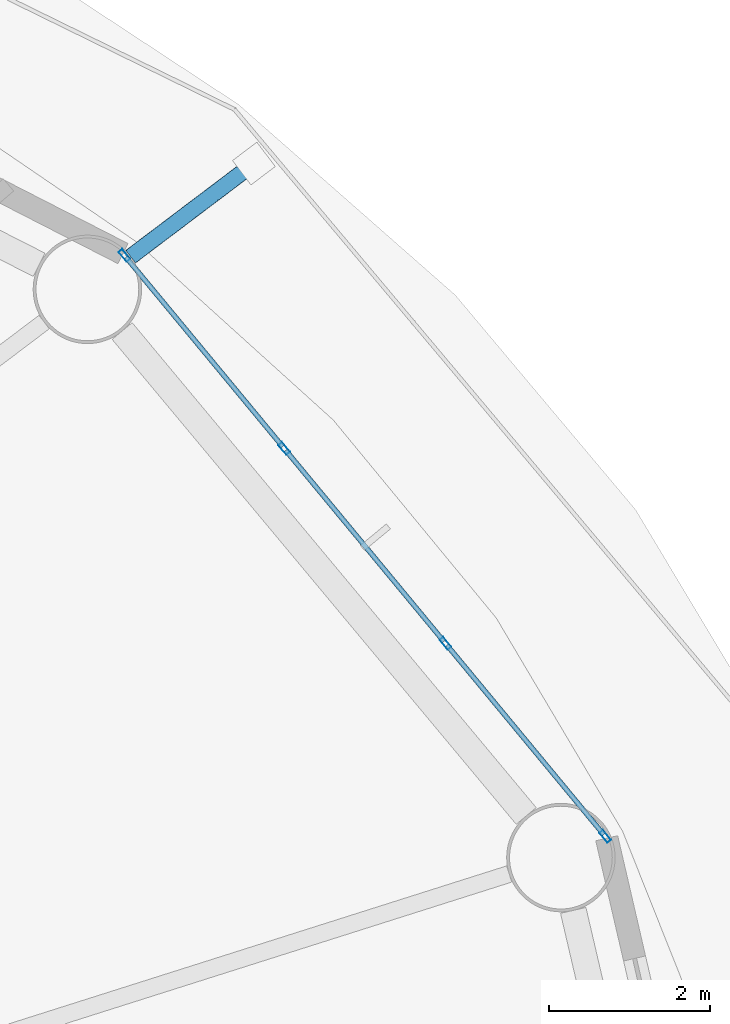
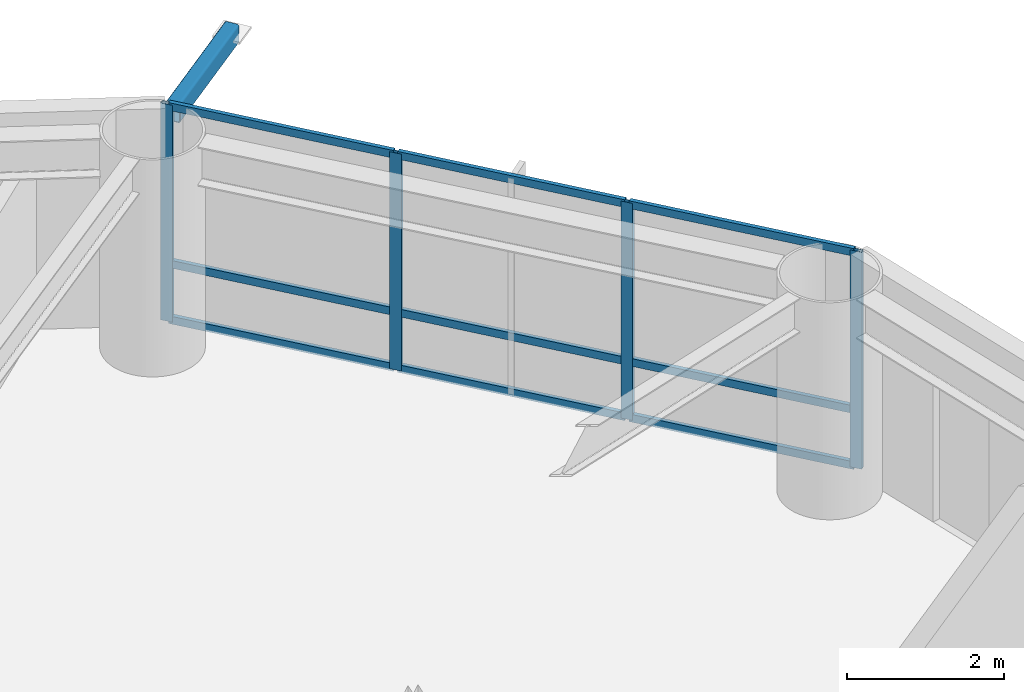
# One storey, part 12 of 24: 14 members, 1 element without a shape of its own.
"""IFC4 building model written with IfcOpenShell, lengths in metres."""

from ifc_helpers import new_model, si_unit, direction, frame, origin, origin_2d, place, context, subcontext, project, spatial, hollow_rectangle, extrude, material, layer, layer_set, material_profile, profile_set, type_object, element, aggregate, save


model = new_model("IFC4")

# Units and contexts
model_context = context("Model", 3, precision=1e-05, world=origin(), true_north=direction((0.0, 1.0)))
body_context = subcontext(model_context, "Body", "Model", "MODEL_VIEW")
ifc_project = project(units=[si_unit("LENGTHUNIT", "METRE"), si_unit("AREAUNIT", "SQUARE_METRE"), si_unit("VOLUMEUNIT", "CUBIC_METRE"), si_unit("PLANEANGLEUNIT", "RADIAN"), si_unit("MASSUNIT", "GRAM", prefix="KILO")], contexts=[model_context])

# Site, building, storey
site_placement = place(None, origin())
site = spatial("IfcSite", under=ifc_project, at=site_placement, CompositionType="ELEMENT")
building_placement = place(site_placement, origin())
building = spatial("IfcBuilding", under=site, at=building_placement, Name="Sarneth Arch Tower", CompositionType="ELEMENT")
storey_placement = place(building_placement, frame((0.0, 0.0, 123.60009765625)))
storey = spatial("IfcBuildingStorey", under=building, at=storey_placement, Name="L31", CompositionType="ELEMENT", Elevation=123.60009765625)

# Curtain wall, members
ifc_material_1 = material(Name="Anodised aluminium Type AA25 and solar-control low-e laminated IGU", Category="aluminium")
ifc_layer = layer(ifc_material_1, 0.159912109375)
ifc_layer_set = layer_set([ifc_layer], Name="Anodised aluminium Type AA25 and solar-control low-e laminated IGU")
curtain_wall_type = type_object("IfcCurtainWallType", Name="CW-HOTEL-MID", PredefinedType="NOTDEFINED", material=ifc_layer_set)
curtain_wall_placement = place(storey_placement, origin())
curtain_wall = element("IfcCurtainWall", 1, at=curtain_wall_placement, inside=storey, type_object=curtain_wall_type, Name="L31 Unitised curtain wall facet 02", PredefinedType="NOTDEFINED")
ifc_material_2 = material(Name="Anodised Aluminium 6063-T6", Category="aluminium")
ifc_material_profile_1 = material_profile(ifc_material_2, hollow_rectangle(XDim=0.06005859375, YDim=0.159912109375, WallThickness=0.00390625, at=origin_2d()), Name="AL-MULL-160x60x4")
ifc_profile_set_1 = profile_set([ifc_material_profile_1], Name="Anodised Aluminium 6063-T6")
member_type_1 = type_object("IfcMemberType", Name="CW-MULLION", PredefinedType="MULLION", material=ifc_profile_set_1)
member_1_placement = place(storey_placement, frame((74.84228515625, 50.606689453125, 0.0), z_axis=(0.0, 0.0, 1.0), x_axis=(-0.770437787363, -0.637515188684, 0.0)))
member_1 = element("IfcMember", 2, at=member_1_placement, type_object=member_type_1, Name="CW-SYS-4 mullion 1", PredefinedType="MULLION", context=body_context, shape_type="SweptSolid", body=[
    extrude(hollow_rectangle(XDim=0.06005859375, YDim=0.159912109375, WallThickness=0.00390625, at=origin_2d()), origin(), (0.0, 0.0, 1.0), 3.3798828125),
])
member_2_placement = place(storey_placement, frame((72.854248046875, 53.00927734375, 0.0), z_axis=(0.0, 0.0, 1.0), x_axis=(-0.770437787363, -0.637515188684, 0.0)))
member_2 = element("IfcMember", 3, at=member_2_placement, type_object=member_type_1, Name="CW-SYS-4 mullion 2", PredefinedType="MULLION", context=body_context, shape_type="SweptSolid", body=[
    extrude(hollow_rectangle(XDim=0.06005859375, YDim=0.159912109375, WallThickness=0.00390625, at=origin_2d()), origin(), (0.0, 0.0, 1.0), 3.3798828125),
])
member_3_placement = place(storey_placement, frame((70.84716796875, 55.434814453125, 0.0), z_axis=(0.0, 0.0, 1.0), x_axis=(-0.770437787363, -0.637515188684, 0.0)))
member_3 = element("IfcMember", 4, at=member_3_placement, type_object=member_type_1, Name="CW-SYS-4 mullion 3", PredefinedType="MULLION", context=body_context, shape_type="SweptSolid", body=[
    extrude(hollow_rectangle(XDim=0.06005859375, YDim=0.159912109375, WallThickness=0.00390625, at=origin_2d()), origin(), (0.0, 0.0, 1.0), 3.3798828125),
])
member_4_placement = place(storey_placement, frame((68.859130859375, 57.83740234375, 0.0), z_axis=(0.0, 0.0, 1.0), x_axis=(-0.770437787363, -0.637515188684, 0.0)))
member_4 = element("IfcMember", 5, at=member_4_placement, type_object=member_type_1, Name="CW-SYS-4 mullion 4", PredefinedType="MULLION", context=body_context, shape_type="SweptSolid", body=[
    extrude(hollow_rectangle(XDim=0.06005859375, YDim=0.159912109375, WallThickness=0.00390625, at=origin_2d()), origin(), (0.0, 0.0, 1.0), 3.3798828125),
])
ifc_material_3 = material(Name="Anodised Aluminium 6063-T6", Category="aluminium")
ifc_material_profile_2 = material_profile(ifc_material_3, hollow_rectangle(XDim=0.06005859375, YDim=0.1201171875, WallThickness=0.00390625, at=origin_2d()), Name="AL-TRAN-120x60x4")
ifc_profile_set_2 = profile_set([ifc_material_profile_2], Name="Anodised Aluminium 6063-T6")
member_type_2 = type_object("IfcMemberType", Name="CW-TRANSOM", PredefinedType="USERDEFINED", material=ifc_profile_set_2)
member_5_placement = place(storey_placement, frame((74.8232421875, 50.6298828125, 0.02978515625), z_axis=(-0.637566080343, 0.770395673142, 0.0), x_axis=(-0.770395673142, -0.637566080343, 0.0)))
member_5 = element("IfcMember", 6, at=member_5_placement, type_object=member_type_2, Name="CW-SYS-4 transom 1.1", ObjectType="TRANSOM", PredefinedType="USERDEFINED", context=body_context, shape_type="SweptSolid", body=[
    extrude(hollow_rectangle(XDim=0.06005859375, YDim=0.1201171875, WallThickness=0.00390625, at=origin_2d()), origin(), (0.0, 0.0, 1.0), 3.058349609375),
])
member_6_placement = place(storey_placement, frame((74.8232421875, 50.6298828125, 0.89990234375), z_axis=(-0.637566080343, 0.770395673142, 0.0), x_axis=(-0.770395673142, -0.637566080343, 0.0)))
member_6 = element("IfcMember", 7, at=member_6_placement, type_object=member_type_2, Name="CW-SYS-4 transom 1.2", ObjectType="TRANSOM", PredefinedType="USERDEFINED", context=body_context, shape_type="SweptSolid", body=[
    extrude(hollow_rectangle(XDim=0.06005859375, YDim=0.1201171875, WallThickness=0.00390625, at=origin_2d()), origin(), (0.0, 0.0, 1.0), 3.058349609375),
])
member_7_placement = place(storey_placement, frame((74.8232421875, 50.6298828125, 3.349853515625), z_axis=(-0.637566080343, 0.770395673142, 0.0), x_axis=(-0.770395673142, -0.637566080343, 0.0)))
member_7 = element("IfcMember", 8, at=member_7_placement, type_object=member_type_2, Name="CW-SYS-4 transom 1.3", ObjectType="TRANSOM", PredefinedType="USERDEFINED", context=body_context, shape_type="SweptSolid", body=[
    extrude(hollow_rectangle(XDim=0.06005859375, YDim=0.1201171875, WallThickness=0.00390625, at=origin_2d()), origin(), (0.0, 0.0, 1.0), 3.058349609375),
])
member_8_placement = place(storey_placement, frame((72.835205078125, 53.0322265625, 0.02978515625), z_axis=(-0.637536975021, 0.770419759275, 0.0), x_axis=(-0.770419759275, -0.637536975021, 0.0)))
member_8 = element("IfcMember", 9, at=member_8_placement, type_object=member_type_2, Name="CW-SYS-4 transom 2.1", ObjectType="TRANSOM", PredefinedType="USERDEFINED", context=body_context, shape_type="SweptSolid", body=[
    extrude(hollow_rectangle(XDim=0.06005859375, YDim=0.1201171875, WallThickness=0.00390625, at=origin_2d()), origin(), (0.0, 0.0, 1.0), 3.08837890625),
])
member_9_placement = place(storey_placement, frame((72.835205078125, 53.0322265625, 0.89990234375), z_axis=(-0.637536975021, 0.770419759275, 0.0), x_axis=(-0.770419759275, -0.637536975021, 0.0)))
member_9 = element("IfcMember", 10, at=member_9_placement, type_object=member_type_2, Name="CW-SYS-4 transom 2.2", ObjectType="TRANSOM", PredefinedType="USERDEFINED", context=body_context, shape_type="SweptSolid", body=[
    extrude(hollow_rectangle(XDim=0.06005859375, YDim=0.1201171875, WallThickness=0.00390625, at=origin_2d()), origin(), (0.0, 0.0, 1.0), 3.08837890625),
])
member_10_placement = place(storey_placement, frame((72.835205078125, 53.0322265625, 3.349853515625), z_axis=(-0.637536975021, 0.770419759275, 0.0), x_axis=(-0.770419759275, -0.637536975021, 0.0)))
member_10 = element("IfcMember", 11, at=member_10_placement, type_object=member_type_2, Name="CW-SYS-4 transom 2.3", ObjectType="TRANSOM", PredefinedType="USERDEFINED", context=body_context, shape_type="SweptSolid", body=[
    extrude(hollow_rectangle(XDim=0.06005859375, YDim=0.1201171875, WallThickness=0.00390625, at=origin_2d()), origin(), (0.0, 0.0, 1.0), 3.08837890625),
])
member_11_placement = place(storey_placement, frame((70.828125, 55.4580078125, 0.02978515625), z_axis=(-0.637566080343, 0.770395673142, 0.0), x_axis=(-0.770395673142, -0.637566080343, 0.0)))
member_11 = element("IfcMember", 12, at=member_11_placement, type_object=member_type_2, Name="CW-SYS-4 transom 3.1", ObjectType="TRANSOM", PredefinedType="USERDEFINED", context=body_context, shape_type="SweptSolid", body=[
    extrude(hollow_rectangle(XDim=0.06005859375, YDim=0.1201171875, WallThickness=0.00390625, at=origin_2d()), origin(), (0.0, 0.0, 1.0), 3.058349609375),
])
member_12_placement = place(storey_placement, frame((70.828125, 55.4580078125, 0.89990234375), z_axis=(-0.637566080343, 0.770395673142, 0.0), x_axis=(-0.770395673142, -0.637566080343, 0.0)))
member_12 = element("IfcMember", 13, at=member_12_placement, type_object=member_type_2, Name="CW-SYS-4 transom 3.2", ObjectType="TRANSOM", PredefinedType="USERDEFINED", context=body_context, shape_type="SweptSolid", body=[
    extrude(hollow_rectangle(XDim=0.06005859375, YDim=0.1201171875, WallThickness=0.00390625, at=origin_2d()), origin(), (0.0, 0.0, 1.0), 3.058349609375),
])
member_13_placement = place(storey_placement, frame((70.828125, 55.4580078125, 3.349853515625), z_axis=(-0.637566080343, 0.770395673142, 0.0), x_axis=(-0.770395673142, -0.637566080343, 0.0)))
member_13 = element("IfcMember", 14, at=member_13_placement, type_object=member_type_2, Name="CW-SYS-4 transom 3.3", ObjectType="TRANSOM", PredefinedType="USERDEFINED", context=body_context, shape_type="SweptSolid", body=[
    extrude(hollow_rectangle(XDim=0.06005859375, YDim=0.1201171875, WallThickness=0.00390625, at=origin_2d()), origin(), (0.0, 0.0, 1.0), 3.058349609375),
])
aggregate(curtain_wall, [member_1, member_2, member_3, member_4, member_5, member_6, member_7, member_8, member_9, member_10, member_11, member_12, member_13])

# Member
ifc_material_4 = material(Name="Steel S355", Category="steel")
ifc_material_profile_3 = material_profile(ifc_material_4, hollow_rectangle(XDim=0.199951171875, YDim=0.300048828125, WallThickness=0.012451171875, InnerFilletRadius=0.018798828125, OuterFilletRadius=0.03125, at=origin_2d()), Name="RHS300x200x12.5")
ifc_profile_set_3 = profile_set([ifc_material_profile_3], Name="Steel S355")
member_type_3 = type_object("IfcMemberType", Name="MEM-CANT-STRUT", PredefinedType="STRUT", material=ifc_profile_set_3)
member_14_placement = place(storey_placement, frame((68.936279296875, 57.822021484375, 3.219970703125), z_axis=(0.797830670943, 0.602881597416, 0.0), x_axis=(-0.602881597416, 0.797830670943, 0.0)))
element("IfcMember", 15, at=member_14_placement, inside=storey, type_object=member_type_3, Name="L31 Balcony cantilever bracket 03", PredefinedType="STRUT", context=body_context, shape_type="SweptSolid", body=[
    extrude(hollow_rectangle(XDim=0.199951171875, YDim=0.300048828125, WallThickness=0.012451171875, InnerFilletRadius=0.018798828125, OuterFilletRadius=0.03125, at=origin_2d()), origin(), (0.0, 0.0, 1.0), 1.92236328125),
])

save(model, "model.ifc")
